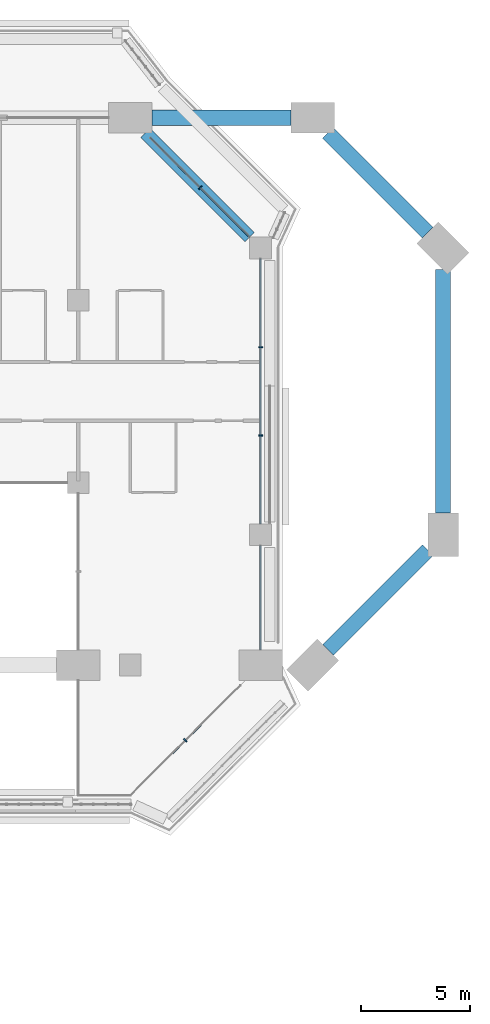
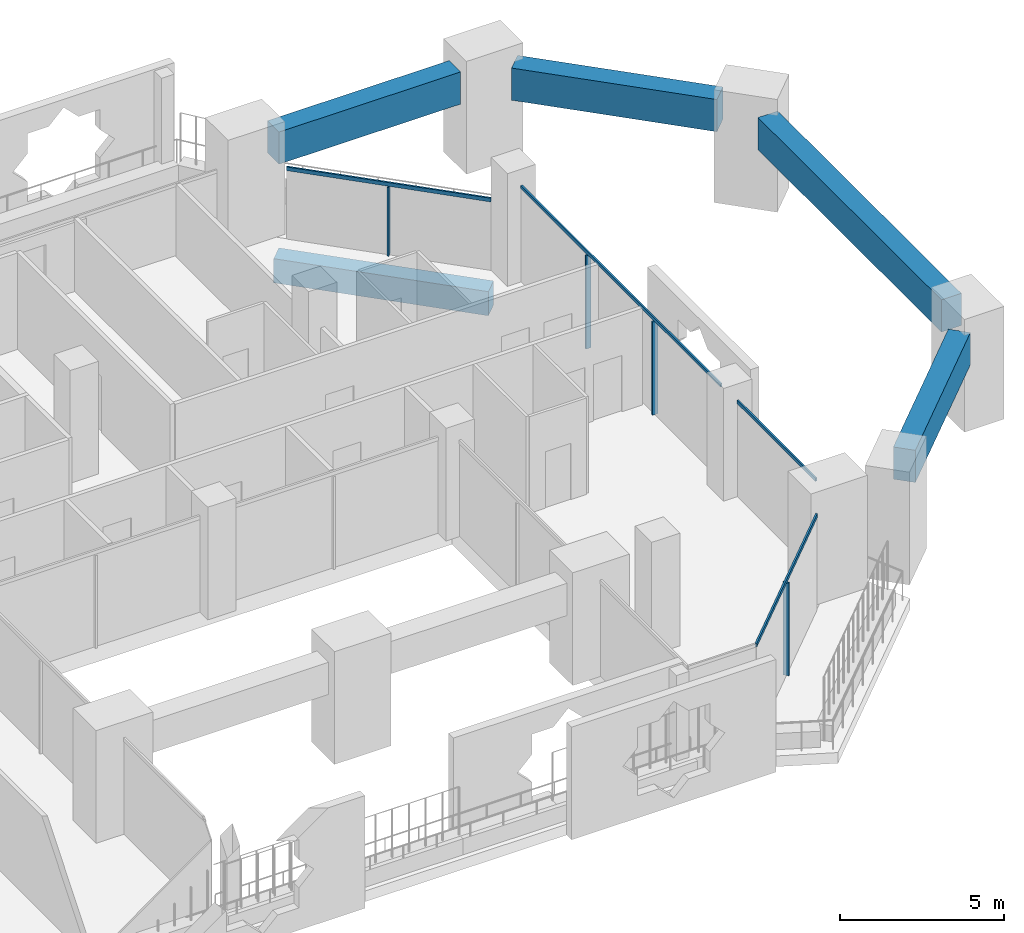
# One storey, part 8 of 24: 8 members, 5 beams, 3 elements without a shape of their own.
"""IFC4 building model written with IfcOpenShell, lengths in metres."""

import ifcopenshell
import ifcopenshell.guid

model = None  # the IFC model being written
_history = None  # IfcOwnerHistory: only IFC2X3 demands one
_inside = {}  # id of a spatial element -> (the spatial element, [elements in it])
_under = {}  # id of a project, library or spatial element -> (it, [spatial elements below it])
_declared = {}  # id of a project -> (the project, [libraries it declares])
_typed = {}  # id of a type object -> (the type object, [elements of that type])
_made_of = {}  # id of a material, layer set ... -> (it, [elements and type objects made of it])


def new_model(schema):
    """Start an empty IFC model of exactly this schema.

    Asked for "IFC4X3", IfcOpenShell would pick the latest addendum, in which some entities
    have other attributes; the version numbers below select the first issue.
    IFC2X3 requires an IfcOwnerHistory on every rooted entity: one is made here for all.
    """
    global model, _history
    if schema == "IFC4X3":
        model = ifcopenshell.file(schema_version=(4, 3, 0, 0))
    else:
        model = ifcopenshell.file(schema=schema)
    _inside.clear()
    _under.clear()
    _declared.clear()
    _typed.clear()
    _made_of.clear()
    _history = None
    if model.schema == "IFC2X3":
        org = make("IfcOrganization", Name="unknown")
        user = make(
            "IfcPersonAndOrganization",
            ThePerson=make("IfcPerson", FamilyName="unknown"),
            TheOrganization=org,
        )
        app = make(
            "IfcApplication",
            ApplicationDeveloper=org,
            Version="unknown",
            ApplicationFullName="unknown",
            ApplicationIdentifier="unknown",
        )
        _history = make(
            "IfcOwnerHistory",
            OwningUser=user,
            OwningApplication=app,
            ChangeAction="ADDED",
            CreationDate=0,
        )
    return model


def make(cls, **values):
    """One entity of the class cls with the attributes given. An attribute that is None is left unset."""
    return model.create_entity(
        cls, **{name: value for name, value in values.items() if value is not None}
    )


def rooted(cls, **values):
    """An entity with a GlobalId (a new one), such as an element, a storey or a relation."""
    return make(cls, GlobalId=ifcopenshell.guid.new(), OwnerHistory=_history, **values)


def si_unit(unit_type, name, prefix=None):
    """IfcSIUnit, for example si_unit("LENGTHUNIT", "METRE", prefix="MILLI")."""
    return make("IfcSIUnit", UnitType=unit_type, Prefix=prefix, Name=name)


def assignment(units):
    """IfcUnitAssignment: the units of a project."""
    return None if units is None else make("IfcUnitAssignment", Units=units)


def point(xyz):
    """IfcCartesianPoint."""
    return None if xyz is None else make("IfcCartesianPoint", Coordinates=xyz)


def direction(xyz):
    """IfcDirection."""
    return None if xyz is None else make("IfcDirection", DirectionRatios=xyz)


def frame(location, z_axis=None, x_axis=None):
    """IfcAxis2Placement3D, a coordinate frame: its origin and axes. An axis left out is left unset."""
    return make(
        "IfcAxis2Placement3D",
        Location=point(location),
        Axis=direction(z_axis),
        RefDirection=direction(x_axis),
    )


def frame_2d(location, x_axis=None):
    """IfcAxis2Placement2D, a coordinate frame in the plane: its origin and x axis."""
    return make(
        "IfcAxis2Placement2D", Location=point(location), RefDirection=direction(x_axis)
    )


def origin():
    """The frame at (0, 0, 0) with its axes left unset."""
    return frame((0.0, 0.0, 0.0))


def origin_2d():
    """The frame at (0, 0) in the plane with its x axis left unset."""
    return frame_2d((0.0, 0.0))


def place(relative_to, where):
    """IfcLocalPlacement: puts the frame where relative to a parent placement (None: the world)."""
    return make(
        "IfcLocalPlacement", PlacementRelTo=relative_to, RelativePlacement=where
    )


def context(
    kind, dimensions, precision=None, world=None, true_north=None, identifier=None
):
    """IfcGeometricRepresentationContext, for example the 3D "Model" context."""
    return make(
        "IfcGeometricRepresentationContext",
        ContextIdentifier=identifier,
        ContextType=kind,
        CoordinateSpaceDimension=dimensions,
        Precision=precision,
        WorldCoordinateSystem=world,
        TrueNorth=true_north,
    )


def subcontext(parent, identifier, kind, view, scale=None):
    """IfcGeometricRepresentationSubContext, for example "Body" below "Model"."""
    return make(
        "IfcGeometricRepresentationSubContext",
        ContextIdentifier=identifier,
        ContextType=kind,
        ParentContext=parent,
        TargetScale=scale,
        TargetView=view,
    )


def project(units=None, contexts=None):
    """IfcProject with its units and contexts."""
    return rooted(
        "IfcProject",
        Name="project",
        RepresentationContexts=contexts,
        UnitsInContext=assignment(units),
    )


def spatial(cls, under=None, at=None, **own):
    """A site, building, storey or space (cls), placed at a placement, below another one or the project."""
    s = rooted(cls, ObjectPlacement=at, **own)
    if under is not None:
        _under.setdefault(under.id(), (under, []))[1].append(s)
    return s


def profile(cls, at=None, kind="AREA", **sizes):
    """A parametric profile (cls). Its sizes go by their IFC names, for example OverallWidth=200.0."""
    return make(cls, ProfileType=kind, Position=at, **sizes)


def rectangle(**sizes):
    """IfcRectangleProfileDef."""
    return profile("IfcRectangleProfileDef", **sizes)


def extrude(swept, where, along, depth):
    """IfcExtrudedAreaSolid: the profile swept, set in the frame where, extruded along a direction by depth."""
    return make(
        "IfcExtrudedAreaSolid",
        SweptArea=swept,
        Position=where,
        ExtrudedDirection=direction(along),
        Depth=depth,
    )


def shape(context_of_items, identifier, shape_type, items):
    """IfcShapeRepresentation: the items that make up one representation, for example the "Body"."""
    return make(
        "IfcShapeRepresentation",
        ContextOfItems=context_of_items,
        RepresentationIdentifier=identifier,
        RepresentationType=shape_type,
        Items=items,
    )


def material(Name=None, Category=None):
    """IfcMaterial."""
    return make("IfcMaterial", Name=Name, Category=Category)


def layer(
    of_material, thickness, ventilated=None, Name=None, Category=None, Priority=None
):
    """IfcMaterialLayer: one layer of a wall or slab, of a material (None: an air gap)."""
    return make(
        "IfcMaterialLayer",
        Material=of_material,
        LayerThickness=thickness,
        IsVentilated=ventilated,
        Name=Name,
        Category=Category,
        Priority=Priority,
    )


def layer_set(layers, Name=None):
    """IfcMaterialLayerSet."""
    return make("IfcMaterialLayerSet", MaterialLayers=layers, LayerSetName=Name)


def material_profile(
    of_material, cross_section, Name=None, Category=None, Priority=None
):
    """IfcMaterialProfile: a cross section and its material."""
    return make(
        "IfcMaterialProfile",
        Name=Name,
        Material=of_material,
        Profile=cross_section,
        Priority=Priority,
        Category=Category,
    )


def profile_set(profiles, Name=None, composite=None):
    """IfcMaterialProfileSet."""
    return make(
        "IfcMaterialProfileSet",
        Name=Name,
        MaterialProfiles=profiles,
        CompositeProfile=composite,
    )


def made_of(thing, what):
    """Note that an element or type object is made of a material, layer set ...; save() writes the relation."""
    if what is not None:
        _made_of.setdefault(what.id(), (what, []))[1].append(thing)
    return thing


def type_object(cls, material=None, **own):
    """A type object (cls), such as IfcWallType, which elements share."""
    return made_of(rooted(cls, **own), material)


def element(
    cls,
    number,
    at=None,
    inside=None,
    cuts=None,
    type_object=None,
    material=None,
    context=None,
    identifier="Body",
    shape_type=None,
    held_by="IfcProductDefinitionShape",
    body=None,
    shapes=None,
    **own,
):
    """One element of the class cls, such as IfcWall. Its Tag is "e" and its number.

    at: its placement. inside: the storey or other place that contains it. cuts: it is an
    opening in that element (IfcRelVoidsElement). A single representation is given by context,
    identifier, shape_type and body (its items); several are given by shapes. held_by: the class
    of the entity that holds the representations. save() writes the other relations.
    """
    e = rooted(cls, Tag="e%d" % number, ObjectPlacement=at, **own)
    if body is not None:
        shapes = [shape(context, identifier, shape_type, body)]
    if shapes is not None:
        e.Representation = make(held_by, Representations=shapes)
    if inside is not None:
        _inside.setdefault(inside.id(), (inside, []))[1].append(e)
    if cuts is not None:
        rooted(
            "IfcRelVoidsElement", RelatingBuildingElement=cuts, RelatedOpeningElement=e
        )
    if type_object is not None:
        _typed.setdefault(type_object.id(), (type_object, []))[1].append(e)
    return made_of(e, material)


def aggregate(whole, parts):
    """IfcRelAggregates: a whole, such as a stair, and the parts it consists of."""
    return rooted("IfcRelAggregates", RelatingObject=whole, RelatedObjects=parts)


def save(model, path):
    """Write the relations noted so far, then the file.

    IfcRelAggregates (storeys below a building ...), IfcRelContainedInSpatialStructure (elements
    in a storey), IfcRelDefinesByType, IfcRelAssociatesMaterial and IfcRelDeclares: one each for
    every whole, place, type object, material and project.
    """
    for whole, parts in _under.values():
        aggregate(whole, parts)
    for where, things in _inside.values():
        rooted(
            "IfcRelContainedInSpatialStructure",
            RelatedElements=things,
            RelatingStructure=where,
        )
    for kind, things in _typed.values():
        rooted("IfcRelDefinesByType", RelatedObjects=things, RelatingType=kind)
    for what, things in _made_of.values():
        rooted("IfcRelAssociatesMaterial", RelatedObjects=things, RelatingMaterial=what)
    for by, libraries in _declared.values():
        rooted("IfcRelDeclares", RelatingContext=by, RelatedDefinitions=libraries)
    model.write(path)


model = new_model("IFC4")

# Units and contexts
model_context = context("Model", 3, precision=1e-05, world=origin(), true_north=direction((0.0, 1.0)))
body_context = subcontext(model_context, "Body", "Model", "MODEL_VIEW")
ifc_project = project(units=[si_unit("LENGTHUNIT", "METRE"), si_unit("AREAUNIT", "SQUARE_METRE"), si_unit("VOLUMEUNIT", "CUBIC_METRE"), si_unit("PLANEANGLEUNIT", "RADIAN"), si_unit("MASSUNIT", "GRAM", prefix="KILO")], contexts=[model_context])

# Site, building, storey
site_placement = place(None, origin())
site = spatial("IfcSite", under=ifc_project, at=site_placement, CompositionType="ELEMENT")
building_placement = place(site_placement, origin())
building = spatial("IfcBuilding", under=site, at=building_placement, Name="Kawkab Arch Medical Tower", CompositionType="ELEMENT")
storey_placement = place(building_placement, frame((0.0, 0.0, 162.60009765625)))
storey = spatial("IfcBuildingStorey", under=building, at=storey_placement, Name="L37", CompositionType="ELEMENT", Elevation=162.60009765625)

# Curtain wall, members
ifc_material_1 = material(Name="Bronze anodised aluminium curtain wall frame", Category="aluminium")
ifc_layer_1 = layer(ifc_material_1, 0.159912109375)
ifc_layer_set_1 = layer_set([ifc_layer_1], Name="Bronze anodised aluminium curtain wall frame")
curtain_wall_type_1 = type_object("IfcCurtainWallType", Name="CW1 ward curtain wall", PredefinedType="NOTDEFINED", material=ifc_layer_set_1)
placement = place(storey_placement, origin())
curtain_wall_1 = element("IfcCurtainWall", 1, at=placement, inside=storey, type_object=curtain_wall_type_1, Name="CW1 Ward curtain wall R07", PredefinedType="NOTDEFINED")
ifc_material_2 = material(Name="Bronze anodised aluminium curtain wall frame", Category="aluminium")
ifc_material_profile_1 = material_profile(ifc_material_2, rectangle(XDim=0.179931640625, YDim=0.06005859375, at=origin_2d()), Name="AL 60x180")
ifc_profile_set_1 = profile_set([ifc_material_profile_1], Name="Bronze anodised aluminium curtain wall frame")
member_type_1 = type_object("IfcMemberType", Name="CW1 mullion 60 x 180", PredefinedType="MULLION", material=ifc_profile_set_1)
member_1_placement = place(storey_placement, frame((67.199951171875, -14.63330078125, 0.0), z_axis=(0.0, 0.0, 1.0), x_axis=(-1.0, 0.0, 0.0)))
member_1 = element("IfcMember", 2, at=member_1_placement, type_object=member_type_1, Name="CW1 mullion 2.1", PredefinedType="MULLION", context=body_context, shape_type="SweptSolid", body=[
    extrude(rectangle(XDim=0.179931640625, YDim=0.06005859375, at=origin_2d()), origin(), (0.0, 0.0, 1.0), 3.47998046875),
])
member_2_placement = place(storey_placement, frame((67.199951171875, -10.566650390625, 0.0), z_axis=(0.0, 0.0, 1.0), x_axis=(-1.0, 0.0, 0.0)))
member_2 = element("IfcMember", 3, at=member_2_placement, type_object=member_type_1, Name="CW1 mullion 2.2", PredefinedType="MULLION", context=body_context, shape_type="SweptSolid", body=[
    extrude(rectangle(XDim=0.179931640625, YDim=0.06005859375, at=origin_2d()), origin(), (0.0, 0.0, 1.0), 3.47998046875),
])
ifc_material_3 = material(Name="Bronze anodised aluminium curtain wall frame", Category="aluminium")
ifc_material_profile_2 = material_profile(ifc_material_3, rectangle(XDim=0.06005859375, YDim=0.1201171875, at=origin_2d()), Name="AL 60x120")
ifc_profile_set_2 = profile_set([ifc_material_profile_2], Name="Bronze anodised aluminium curtain wall frame")
member_type_2 = type_object("IfcMemberType", Name="CW1 transom 120 x 60", PredefinedType="USERDEFINED", material=ifc_profile_set_2)
member_3_placement = place(storey_placement, frame((67.199951171875, -24.5, 3.539794921875), z_axis=(0.0, 1.0, 0.0), x_axis=(-1.0, 0.0, 0.0)))
member_3 = element("IfcMember", 4, at=member_3_placement, type_object=member_type_2, Name="CW1 transom 1", ObjectType="TRANSOM", PredefinedType="USERDEFINED", context=body_context, shape_type="SweptSolid", body=[
    extrude(rectangle(XDim=0.06005859375, YDim=0.1201171875, at=origin_2d()), origin(), (0.0, 0.0, 1.0), 4.800048828125),
])
member_4_placement = place(storey_placement, frame((67.199951171875, -18.699951171875, 3.539794921875), z_axis=(0.0, 1.0, 0.0), x_axis=(-1.0, 0.0, 0.0)))
member_4 = element("IfcMember", 5, at=member_4_placement, type_object=member_type_2, Name="CW1 transom 2", ObjectType="TRANSOM", PredefinedType="USERDEFINED", context=body_context, shape_type="SweptSolid", body=[
    extrude(rectangle(XDim=0.06005859375, YDim=0.1201171875, at=origin_2d()), origin(), (0.0, 0.0, 1.0), 12.199951171875),
])
aggregate(curtain_wall_1, [member_3, member_4, member_1, member_2])

# Curtain wall, member
ifc_material_4 = material(Name="Bronze anodised aluminium curtain wall frame", Category="aluminium")
ifc_layer_2 = layer(ifc_material_4, 0.159912109375)
ifc_layer_set_2 = layer_set([ifc_layer_2], Name="Bronze anodised aluminium curtain wall frame")
curtain_wall_type_2 = type_object("IfcCurtainWallType", Name="CW2 chamfer curtain wall", PredefinedType="NOTDEFINED", material=ifc_layer_set_2)
curtain_wall_2 = element("IfcCurtainWall", 6, at=placement, inside=storey, type_object=curtain_wall_type_2, Name="CW2 Chamfer curtain wall R06", PredefinedType="NOTDEFINED")
ifc_material_5 = material(Name="Bronze anodised aluminium curtain wall frame", Category="aluminium")
ifc_material_profile_3 = material_profile(ifc_material_5, rectangle(XDim=0.199951171875, YDim=0.06005859375, at=origin_2d()), Name="AL 60x200")
ifc_profile_set_3 = profile_set([ifc_material_profile_3], Name="Bronze anodised aluminium curtain wall frame")
member_type_3 = type_object("IfcMemberType", Name="CW2 mullion 60 x 200", PredefinedType="MULLION", material=ifc_profile_set_3)
member_5_placement = place(storey_placement, frame((63.73486328125, -28.665283203125, 0.0), z_axis=(0.0, 0.0, 1.0), x_axis=(-0.707106781187, 0.707106781187, 0.0)))
member_5 = element("IfcMember", 7, at=member_5_placement, type_object=member_type_3, Name="CW2 mullion 1.1", PredefinedType="MULLION", context=body_context, shape_type="SweptSolid", body=[
    extrude(rectangle(XDim=0.199951171875, YDim=0.06005859375, at=origin_2d()), origin(), (0.0, 0.0, 1.0), 3.4599609375),
])

curtain_wall_3 = element("IfcCurtainWall", 8, at=placement, inside=storey, type_object=curtain_wall_type_2, Name="CW2 Chamfer curtain wall R08", PredefinedType="NOTDEFINED")
member_6_placement = place(storey_placement, frame((64.415283203125, -3.215087890625, 0.0), z_axis=(0.0, 0.0, 1.0), x_axis=(-0.707106781187, -0.707106781187, 0.0)))
member_6 = element("IfcMember", 9, at=member_6_placement, type_object=member_type_3, Name="CW2 mullion 1.1", PredefinedType="MULLION", context=body_context, shape_type="SweptSolid", body=[
    extrude(rectangle(XDim=0.199951171875, YDim=0.06005859375, at=origin_2d()), origin(), (0.0, 0.0, 1.0), 2.559814453125),
])

# Member
ifc_material_6 = material(Name="Bronze anodised aluminium curtain wall frame", Category="aluminium")
ifc_material_profile_4 = material_profile(ifc_material_6, rectangle(XDim=0.06005859375, YDim=0.139892578125, at=origin_2d()), Name="AL 60x140")
ifc_profile_set_4 = profile_set([ifc_material_profile_4], Name="Bronze anodised aluminium curtain wall frame")
member_type_4 = type_object("IfcMemberType", Name="CW2 transom 140 x 60", PredefinedType="USERDEFINED", material=ifc_profile_set_4)
member_7_placement = place(storey_placement, frame((61.199951171875, -31.199951171875, 3.52978515625), z_axis=(0.707123806981, 0.707089754982, 0.0), x_axis=(-0.707089754982, 0.707123806981, 0.0)))
member_7 = element("IfcMember", 10, at=member_7_placement, type_object=member_type_4, Name="CW2 transom 1", ObjectType="TRANSOM", PredefinedType="USERDEFINED", context=body_context, shape_type="SweptSolid", body=[
    extrude(rectangle(XDim=0.06005859375, YDim=0.139892578125, at=origin_2d()), origin(), (0.0, 0.0, 1.0), 7.169677734375),
])

aggregate(curtain_wall_2, [member_7, member_5])

member_8_placement = place(storey_placement, frame((66.699951171875, -5.5, 2.6298828125), z_axis=(-0.707106781187, 0.707106781187, 0.0), x_axis=(-0.707106781187, -0.707106781187, 0.0)))
member_8 = element("IfcMember", 11, at=member_8_placement, type_object=member_type_4, Name="CW2 transom 1", ObjectType="TRANSOM", PredefinedType="USERDEFINED", context=body_context, shape_type="SweptSolid", body=[
    extrude(rectangle(XDim=0.06005859375, YDim=0.139892578125, at=origin_2d()), origin(), (0.0, 0.0, 1.0), 6.46240234375),
])

aggregate(curtain_wall_3, [member_8, member_6])

# Beams
ifc_material_7 = material(Name="Concrete C50/60", Category="concrete")
ifc_material_profile_5 = material_profile(ifc_material_7, rectangle(XDim=0.60009765625, YDim=0.89990234375, at=origin_2d()), Name="RC 600x900")
ifc_profile_set_5 = profile_set([ifc_material_profile_5], Name="Concrete C50/60")
beam_type_1 = type_object("IfcBeamType", Name="RC 600x900 beam C50/60", PredefinedType="BEAM", material=ifc_profile_set_5)
beam_1_placement = place(storey_placement, frame((61.89990234375, -0.699951171875, -1.050048828125), z_axis=(0.707106781187, -0.707106781187, 0.0), x_axis=(0.707106781187, 0.707106781187, 0.0)))
element("IfcBeam", 12, at=beam_1_placement, inside=storey, type_object=beam_type_1, Name="Overhang edge beam L37-08", PredefinedType="BEAM", context=body_context, shape_type="SweptSolid", body=[
    extrude(rectangle(XDim=0.60009765625, YDim=0.89990234375, at=origin_2d()), origin(), (0.0, 0.0, 1.0), 6.788330078125),
])
ifc_material_8 = material(Name="Concrete C50/60", Category="concrete")
ifc_material_profile_6 = material_profile(ifc_material_8, rectangle(XDim=0.699951171875, YDim=1.199951171875, at=origin_2d()), Name="RC 700x1200")
ifc_profile_set_6 = profile_set([ifc_material_profile_6], Name="Concrete C50/60")
beam_type_2 = type_object("IfcBeamType", Name="RC 700x1200 beam C50/60", PredefinedType="BEAM", material=ifc_profile_set_6)
beam_2_placement = place(storey_placement, frame((62.199951171875, 0.0, 3.0), z_axis=(1.0, 0.0, 0.0), x_axis=(0.0, 1.0, 0.0)))
element("IfcBeam", 13, at=beam_2_placement, inside=storey, type_object=beam_type_2, Name="Terrace frame beam TF-L36-1-L38-01", PredefinedType="BEAM", context=body_context, shape_type="SweptSolid", body=[
    extrude(rectangle(XDim=0.699951171875, YDim=1.199951171875, at=origin_2d()), origin(), (0.0, 0.0, 1.0), 6.400146484375),
])
beam_3_placement = place(storey_placement, frame((70.300048828125, -0.699951171875, 3.0), z_axis=(0.707087987401, -0.707125574473, 0.0), x_axis=(0.707125574473, 0.707087987401, 0.0)))
element("IfcBeam", 14, at=beam_3_placement, inside=storey, type_object=beam_type_2, Name="Terrace frame beam TF-L36-1-L38-02", PredefinedType="BEAM", context=body_context, shape_type="SweptSolid", body=[
    extrude(rectangle(XDim=0.699951171875, YDim=1.199951171875, at=origin_2d()), origin(), (0.0, 0.0, 1.0), 6.495361328125),
])
beam_4_placement = place(storey_placement, frame((75.60009765625, -6.989990234375, 3.0), z_axis=(0.0, -1.0, 0.0), x_axis=(1.0, 0.0, 0.0)))
element("IfcBeam", 15, at=beam_4_placement, inside=storey, type_object=beam_type_2, Name="Terrace frame beam TF-L36-1-L38-03", PredefinedType="BEAM", context=body_context, shape_type="SweptSolid", body=[
    extrude(rectangle(XDim=0.699951171875, YDim=1.199951171875, at=origin_2d()), origin(), (0.0, 0.0, 1.0), 11.2099609375),
])
beam_5_placement = place(storey_placement, frame((74.89990234375, -19.89990234375, 3.0), z_axis=(-0.707087987401, -0.707125574473, 0.0), x_axis=(0.707125574473, -0.707087987401, 0.0)))
element("IfcBeam", 16, at=beam_5_placement, inside=storey, type_object=beam_type_2, Name="Terrace frame beam TF-L36-1-L38-04", PredefinedType="BEAM", context=body_context, shape_type="SweptSolid", body=[
    extrude(rectangle(XDim=0.699951171875, YDim=1.199951171875, at=origin_2d()), origin(), (0.0, 0.0, 1.0), 6.495361328125),
])

save(model, "model.ifc")
